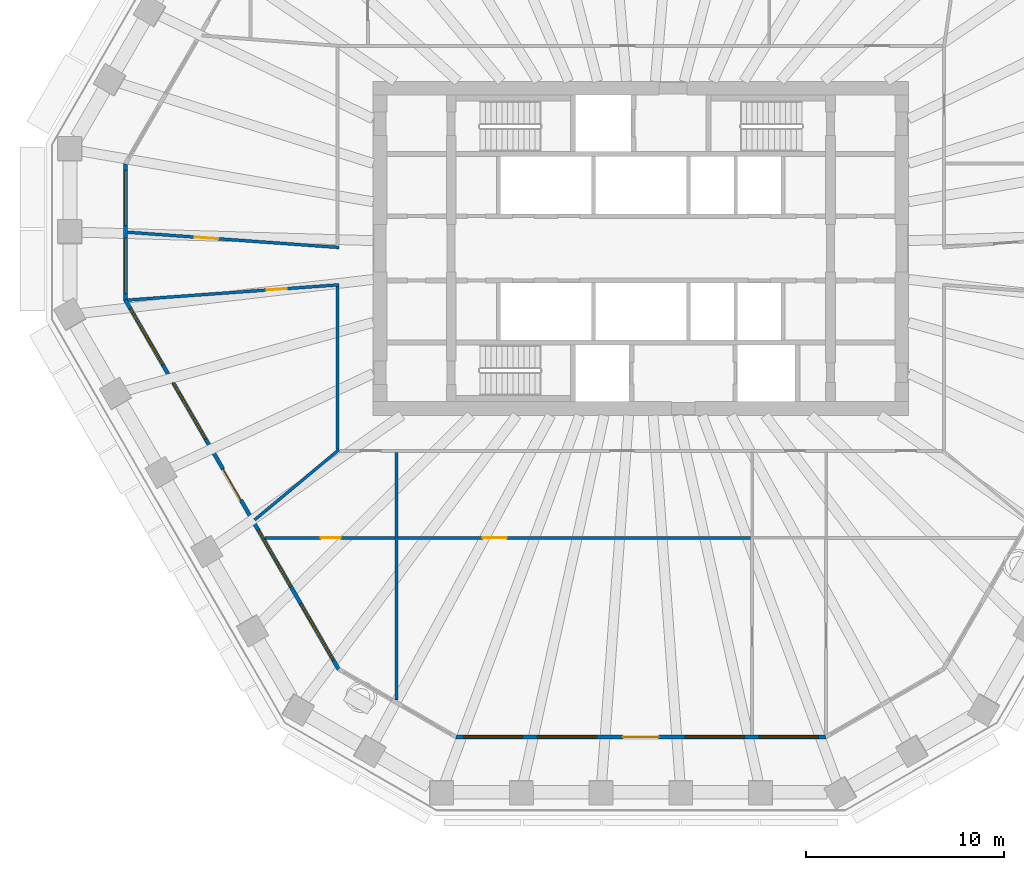
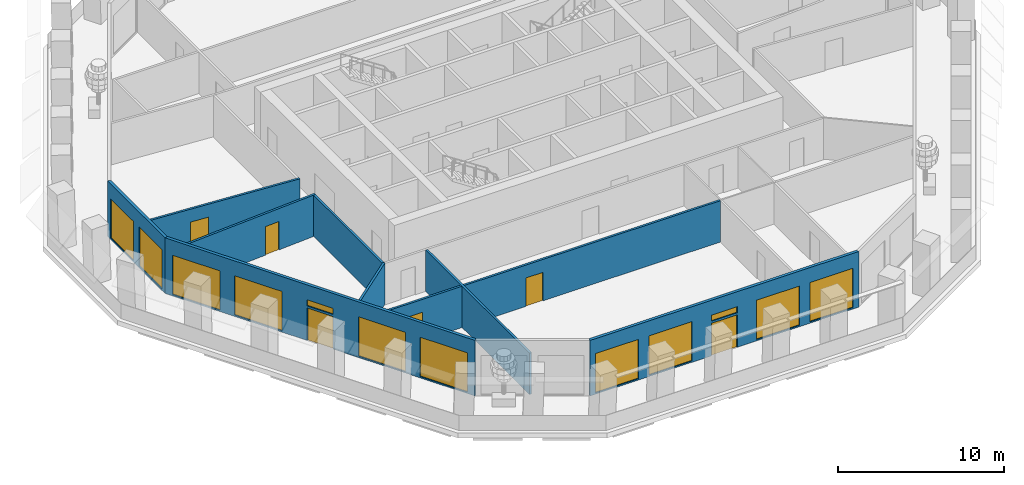
# One storey, part 3 of 12: 12 windows, 9 walls, 6 doors, 18 openings.
"""IFC4 building model written with IfcOpenShell, lengths in metres."""

from ifc_helpers import new_model, si_unit, direction, frame, frame_2d, origin, place, context, subcontext, project, spatial, polyline, rectangle, outline, extrude, material, layer, layer_set, type_object, element, fill, save


model = new_model("IFC4")

# Units and contexts
model_context = context("Model", 3, precision=1e-05, world=origin(), true_north=direction((0.0, 1.0)))
body_context = subcontext(model_context, "Body", "Model", "MODEL_VIEW")
ifc_project = project(units=[si_unit("LENGTHUNIT", "METRE"), si_unit("AREAUNIT", "SQUARE_METRE"), si_unit("VOLUMEUNIT", "CUBIC_METRE"), si_unit("PLANEANGLEUNIT", "RADIAN"), si_unit("MASSUNIT", "GRAM", prefix="KILO")], contexts=[model_context])

# Site, building, storey
site_placement = place(None, origin())
site = spatial("IfcSite", under=ifc_project, at=site_placement, CompositionType="ELEMENT")
building_placement = place(site_placement, origin())
building = spatial("IfcBuilding", under=site, at=building_placement, Name="Frailejon Research Tower", CompositionType="ELEMENT")
storey_placement = place(building_placement, frame((0.0, 0.0, 171.60009765625)))
storey = spatial("IfcBuildingStorey", under=building, at=storey_placement, Name="L37", CompositionType="ELEMENT", Elevation=171.60009765625)

# Wall
ifc_material_1 = material(Name="Gypsum board and masonry partition", Category="masonry")
ifc_layer_1 = layer(ifc_material_1, 0.14990234375)
ifc_layer_set_1 = layer_set([ifc_layer_1], Name="Corridor wall EI 60, gypsum on steel studs 150")
wall_type_1 = type_object("IfcWallType", Name="Corridor wall EI 60, gypsum on steel studs 150", PredefinedType="PARTITIONING", material=ifc_layer_set_1)
wall_1_placement = place(storey_placement, frame((-15.35009765625, -10.175048828125, 0.0), z_axis=(0.0, 0.0, 1.0), x_axis=(0.0, 1.0, 0.0)))
element("IfcWall", 1, at=wall_1_placement, inside=storey, type_object=wall_type_1, Name="T:IW:L37:004", PredefinedType="PARTITIONING", context=body_context, shape_type="SweptSolid", body=[
    extrude(rectangle(XDim=8.24755859375, YDim=0.14990234375, at=frame_2d((4.123779296875, 0.0))), origin(), (0.0, 0.0, 1.0), 3.0498046875),
])

# Wall, opening, door
wall_2_placement = place(storey_placement, frame((-25.99169921875, 0.815185546875, 0.0), z_axis=(0.0, 0.0, 1.0), x_axis=(0.997408977035, -0.07193978406, 0.0)))
wall_2 = element("IfcWall", 2, at=wall_2_placement, inside=storey, type_object=wall_type_1, Name="T:IW:L37:007", PredefinedType="PARTITIONING", context=body_context, shape_type="SweptSolid", body=[
    extrude(rectangle(XDim=10.744384765625, YDim=0.14990234375, at=frame_2d((5.3720703125, 0.0))), origin(), (0.0, 0.0, 1.0), 3.0498046875),
])
opening_1_placement = place(wall_2_placement, frame((3.419189453125, 0.0, 0.0)))
opening_1 = element("IfcOpeningElement", 3, at=opening_1_placement, cuts=wall_2, Name="Opening D1812", PredefinedType="OPENING", context=body_context, shape_type="SweptSolid", body=[
    extrude(rectangle(XDim=1.199951171875, YDim=2.10009765625, at=frame_2d((0.60009765625, 1.050048828125))), frame((0.0, 0.0849609375, 0.0), z_axis=(0.0, -1.0, 0.0), x_axis=(1.0, 0.0, 0.0)), (0.0, 0.0, 1.0), 0.169921875),
])
ifc_material_2 = material(Name="Timber door leaf", Category="wood")
door_type_1 = type_object("IfcDoorType", Name="Door laboratory, timber, vision panel 1200", OperationType="NOTDEFINED", PredefinedType="DOOR", material=ifc_material_2)
door_1_placement = place(opening_1_placement, origin())
door_1 = element("IfcDoor", 4, at=door_1_placement, inside=storey, type_object=door_type_1, Name="D1812", OperationType="DOUBLE_DOOR_SINGLE_SWING", OverallHeight=2.10009765625, OverallWidth=1.199951171875, PredefinedType="DOOR", context=body_context, shape_type="SweptSolid", body=[
    extrude(rectangle(XDim=1.199951171875, YDim=2.10009765625, at=frame_2d((0.60009765625, 1.050048828125))), frame((0.0, 0.02490234375, 0.0), z_axis=(0.0, -1.0, 0.0), x_axis=(1.0, 0.0, 0.0)), (0.0, 0.0, 1.0), 0.050048828125),
])
fill(opening_1, door_1)

wall_3_placement = place(storey_placement, frame((-25.97021484375, -2.618408203125, 0.0), z_axis=(0.0, 0.0, 1.0), x_axis=(0.997408409871, 0.07194764707, 0.0)))
wall_3 = element("IfcWall", 5, at=wall_3_placement, inside=storey, type_object=wall_type_1, Name="T:IW:L37:008", PredefinedType="PARTITIONING", context=body_context, shape_type="SweptSolid", body=[
    extrude(rectangle(XDim=10.722900390625, YDim=0.14990234375, at=frame_2d((5.361328125, 0.0))), origin(), (0.0, 0.0, 1.0), 3.0498046875),
])
opening_2_placement = place(wall_3_placement, frame((7.060791015625, 0.0, 0.0)))
opening_2 = element("IfcOpeningElement", 6, at=opening_2_placement, cuts=wall_3, Name="Opening D1813", PredefinedType="OPENING", context=body_context, shape_type="SweptSolid", body=[
    extrude(rectangle(XDim=1.0, YDim=2.10009765625, at=frame_2d((0.5, 1.050048828125))), frame((0.0, 0.0849609375, 0.0), z_axis=(0.0, -1.0, 0.0), x_axis=(1.0, 0.0, 0.0)), (0.0, 0.0, 1.0), 0.169921875),
])
ifc_material_3 = material(Name="Timber door leaf", Category="wood")
door_type_2 = type_object("IfcDoorType", Name="Door single leaf, timber, steel frame 1000", OperationType="NOTDEFINED", PredefinedType="DOOR", material=ifc_material_3)
door_2_placement = place(opening_2_placement, origin())
door_2 = element("IfcDoor", 7, at=door_2_placement, inside=storey, type_object=door_type_2, Name="D1813", OperationType="SINGLE_SWING_LEFT", OverallHeight=2.10009765625, OverallWidth=1.0, PredefinedType="DOOR", context=body_context, shape_type="SweptSolid", body=[
    extrude(rectangle(XDim=1.0, YDim=2.10009765625, at=frame_2d((0.5, 1.050048828125))), frame((0.0, 0.02490234375, 0.0), z_axis=(0.0, -1.0, 0.0), x_axis=(1.0, 0.0, 0.0)), (0.0, 0.0, 1.0), 0.050048828125),
])
fill(opening_2, door_2)

# Wall
ifc_material_4 = material(Name="Gypsum board and masonry partition", Category="masonry")
ifc_layer_2 = layer(ifc_material_4, 0.14990234375)
ifc_layer_set_2 = layer_set([ifc_layer_2], Name="Laboratory partition, blockwork 150")
wall_type_2 = type_object("IfcWallType", Name="Laboratory partition, blockwork 150", PredefinedType="PARTITIONING", material=ifc_layer_set_2)
wall_4_placement = place(storey_placement, frame((-19.547119140625, -13.743408203125, 0.0), z_axis=(0.0, 0.0, 1.0), x_axis=(0.768579042723, 0.639754839831, 0.0)))
element("IfcWall", 8, at=wall_4_placement, inside=storey, type_object=wall_type_2, Name="T:IW:L37:019", PredefinedType="PARTITIONING", context=body_context, shape_type="SweptSolid", body=[
    extrude(rectangle(XDim=5.53564453125, YDim=0.14990234375, at=frame_2d((2.767822265625, 0.0))), origin(), (0.0, 0.0, 1.0), 3.0498046875),
])

# Wall, openings, doors
wall_5_placement = place(storey_placement, frame((-19.023681640625, -14.64990234375, 0.0), z_axis=(0.0, 0.0, 1.0), x_axis=(1.0, 0.0, 0.0)))
wall_5 = element("IfcWall", 9, at=wall_5_placement, inside=storey, type_object=wall_type_2, Name="T:IW:L37:020", PredefinedType="PARTITIONING", context=body_context, shape_type="SweptSolid", body=[
    extrude(rectangle(XDim=24.5751953125, YDim=0.14990234375, at=frame_2d((12.28759765625, 0.0))), origin(), (0.0, 0.0, 1.0), 3.0498046875),
])
opening_3_placement = place(wall_5_placement, frame((2.822998046875, 0.0, 0.0)))
opening_3 = element("IfcOpeningElement", 10, at=opening_3_placement, cuts=wall_5, Name="Opening D1815", PredefinedType="OPENING", context=body_context, shape_type="SweptSolid", body=[
    extrude(rectangle(XDim=1.0, YDim=2.10009765625, at=frame_2d((0.5, 1.050048828125))), frame((0.0, 0.0849609375, 0.0), z_axis=(0.0, -1.0, 0.0), x_axis=(1.0, 0.0, 0.0)), (0.0, 0.0, 1.0), 0.169921875),
])
opening_4_placement = place(wall_5_placement, frame((11.022216796875, 0.0, 0.0)))
opening_4 = element("IfcOpeningElement", 11, at=opening_4_placement, cuts=wall_5, Name="Opening D1817", PredefinedType="OPENING", context=body_context, shape_type="SweptSolid", body=[
    extrude(rectangle(XDim=1.199951171875, YDim=2.10009765625, at=frame_2d((0.60009765625, 1.050048828125))), frame((0.0, 0.0849609375, 0.0), z_axis=(0.0, -1.0, 0.0), x_axis=(1.0, 0.0, 0.0)), (0.0, 0.0, 1.0), 0.169921875),
])
ifc_material_5 = material(Name="Timber door leaf", Category="wood")
door_type_3 = type_object("IfcDoorType", Name="Door laboratory, timber, vision panel 1000", OperationType="NOTDEFINED", PredefinedType="DOOR", material=ifc_material_5)
door_3_placement = place(opening_3_placement, origin())
door_3 = element("IfcDoor", 12, at=door_3_placement, inside=storey, type_object=door_type_3, Name="D1815", OperationType="SINGLE_SWING_RIGHT", OverallHeight=2.10009765625, OverallWidth=1.0, PredefinedType="DOOR", context=body_context, shape_type="SweptSolid", body=[
    extrude(rectangle(XDim=1.0, YDim=2.10009765625, at=frame_2d((0.5, 1.050048828125))), frame((0.0, 0.02490234375, 0.0), z_axis=(0.0, -1.0, 0.0), x_axis=(1.0, 0.0, 0.0)), (0.0, 0.0, 1.0), 0.050048828125),
])
fill(opening_3, door_3)
door_4_placement = place(opening_4_placement, origin())
door_4 = element("IfcDoor", 13, at=door_4_placement, inside=storey, type_object=door_type_1, Name="D1817", OperationType="DOUBLE_DOOR_SINGLE_SWING", OverallHeight=2.10009765625, OverallWidth=1.199951171875, PredefinedType="DOOR", context=body_context, shape_type="SweptSolid", body=[
    extrude(rectangle(XDim=1.199951171875, YDim=2.10009765625, at=frame_2d((0.60009765625, 1.050048828125))), frame((0.0, 0.02490234375, 0.0), z_axis=(0.0, -1.0, 0.0), x_axis=(1.0, 0.0, 0.0)), (0.0, 0.0, 1.0), 0.050048828125),
])
fill(opening_4, door_4)

# Wall
wall_6_placement = place(storey_placement, frame((-12.37744140625, -22.86669921875, 0.0), z_axis=(0.0, 0.0, 1.0), x_axis=(0.0, 1.0, 0.0)))
element("IfcWall", 14, at=wall_6_placement, inside=storey, type_object=wall_type_2, Name="T:IW:L37:022", PredefinedType="PARTITIONING", context=body_context, shape_type="SweptSolid", body=[
    extrude(rectangle(XDim=12.541748046875, YDim=0.14990234375, at=frame_2d((6.27099609375, 0.0))), origin(), (0.0, 0.0, 1.0), 3.0498046875),
])

# Wall, openings, windows
ifc_material_6 = material(Name="Concrete C40/50 precast window wall panel", Category="concrete")
ifc_layer_3 = layer(ifc_material_6, 0.199951171875)
ifc_layer_set_3 = layer_set([ifc_layer_3], Name="Window wall 200")
wall_type_3 = type_object("IfcWallType", Name="Window wall 200", PredefinedType="SOLIDWALL", material=ifc_layer_set_3)
wall_7_placement = place(storey_placement, frame((-26.091796875, 4.26708984375, 0.0), z_axis=(0.0, 0.0, 1.0), x_axis=(0.0, -1.0, 0.0)))
wall_7 = element("IfcWall", 15, at=wall_7_placement, inside=storey, type_object=wall_type_3, Name="Exterior wall L37", PredefinedType="SOLIDWALL", context=body_context, shape_type="SweptSolid", body=[
    extrude(outline(polyline([(-0.02685546875, -0.10009765625), (1.1279296875, -0.10009765625), (2.28271484375, -0.10009765625), (3.4375, -0.10009765625), (4.592041015625, -0.10009765625), (5.746826171875, -0.10009765625), (6.901611328125, -0.10009765625), (6.847900390625, 0.10009765625), (5.7109375, 0.10009765625), (4.57421875, 0.10009765625), (3.4375, 0.10009765625), (2.300537109375, 0.10009765625), (1.16357421875, 0.10009765625), (0.02685546875, 0.10009765625), (-0.02685546875, -0.10009765625)])), origin(), (0.0, 0.0, 1.0), 4.099853515625),
])
opening_5_placement = place(wall_7_placement, frame((0.318603515625, 0.0, 0.10009765625)))
opening_5 = element("IfcOpeningElement", 16, at=opening_5_placement, cuts=wall_7, Name="Opening W3", PredefinedType="OPENING", context=body_context, shape_type="SweptSolid", body=[
    extrude(rectangle(XDim=2.800048828125, YDim=2.89990234375, at=frame_2d((1.39990234375, 1.449951171875))), frame((0.0, 0.10986328125, 0.0), z_axis=(0.0, -1.0, 0.0), x_axis=(1.0, 0.0, 0.0)), (0.0, 0.0, 1.0), 0.219970703125),
])
opening_6_placement = place(wall_7_placement, frame((3.756103515625, 0.0, 0.10009765625)))
opening_6 = element("IfcOpeningElement", 17, at=opening_6_placement, cuts=wall_7, Name="Opening W3", PredefinedType="OPENING", context=body_context, shape_type="SweptSolid", body=[
    extrude(rectangle(XDim=2.800048828125, YDim=2.89990234375, at=frame_2d((1.39990234375, 1.449951171875))), frame((0.0, 0.10986328125, 0.0), z_axis=(0.0, -1.0, 0.0), x_axis=(1.0, 0.0, 0.0)), (0.0, 0.0, 1.0), 0.219970703125),
])
ifc_material_7 = material(Name="Aluminium framed double glazing", Category="aluminium")
window_type_1 = type_object("IfcWindowType", Name="Window 2800x2900", PartitioningType="SINGLE_PANEL", PredefinedType="WINDOW", material=ifc_material_7)
window_1_placement = place(opening_5_placement, origin())
window_1 = element("IfcWindow", 18, at=window_1_placement, inside=storey, type_object=window_type_1, Name="Window L37", OverallHeight=2.89990234375, OverallWidth=2.800048828125, PartitioningType="SINGLE_PANEL", PredefinedType="WINDOW", context=body_context, shape_type="SweptSolid", body=[
    extrude(rectangle(XDim=2.800048828125, YDim=2.89990234375, at=frame_2d((1.39990234375, 1.449951171875))), frame((0.0, 0.030029296875, 0.0), z_axis=(0.0, -1.0, 0.0), x_axis=(1.0, 0.0, 0.0)), (0.0, 0.0, 1.0), 0.06005859375),
])
fill(opening_5, window_1)
window_2_placement = place(opening_6_placement, origin())
window_2 = element("IfcWindow", 19, at=window_2_placement, inside=storey, type_object=window_type_1, Name="Window L37", OverallHeight=2.89990234375, OverallWidth=2.800048828125, PartitioningType="SINGLE_PANEL", PredefinedType="WINDOW", context=body_context, shape_type="SweptSolid", body=[
    extrude(rectangle(XDim=2.800048828125, YDim=2.89990234375, at=frame_2d((1.39990234375, 1.449951171875))), frame((0.0, 0.030029296875, 0.0), z_axis=(0.0, -1.0, 0.0), x_axis=(1.0, 0.0, 0.0)), (0.0, 0.0, 1.0), 0.06005859375),
])
fill(opening_6, window_2)

# Wall, openings, door, windows
wall_8_placement = place(storey_placement, frame((-26.091796875, -2.607666015625, 0.0), z_axis=(0.0, 0.0, 1.0), x_axis=(0.500001945179, -0.866024280732, 0.0)))
wall_8 = element("IfcWall", 20, at=wall_8_placement, inside=storey, type_object=wall_type_3, Name="Exterior wall L37", PredefinedType="SOLIDWALL", context=body_context, shape_type="SweptSolid", body=[
    extrude(outline(polyline([(-0.02685546875, -0.10009765625), (1.003173828125, -0.10009765625), (2.032958984375, -0.10009765625), (3.06298828125, -0.10009765625), (4.093017578125, -0.10009765625), (5.122802734375, -0.10009765625), (6.15283203125, -0.10009765625), (7.182861328125, -0.10009765625), (8.212646484375, -0.10009765625), (9.24267578125, -0.10009765625), (10.272705078125, -0.10009765625), (11.302490234375, -0.10009765625), (12.33251953125, -0.10009765625), (13.362548828125, -0.10009765625), (14.392333984375, -0.10009765625), (15.42236328125, -0.10009765625), (16.452392578125, -0.10009765625), (17.482177734375, -0.10009765625), (18.51220703125, -0.10009765625), (19.542236328125, -0.10009765625), (20.572021484375, -0.10009765625), (21.60205078125, -0.10009765625), (21.54833984375, 0.10009765625), (20.5234375, 0.10009765625), (19.498779296875, 0.10009765625), (18.473876953125, 0.10009765625), (17.448974609375, 0.10009765625), (16.424072265625, 0.10009765625), (15.3994140625, 0.10009765625), (14.37451171875, 0.10009765625), (13.349609375, 0.10009765625), (12.324951171875, 0.10009765625), (11.300048828125, 0.10009765625), (10.275146484375, 0.10009765625), (9.250244140625, 0.10009765625), (8.2255859375, 0.10009765625), (7.20068359375, 0.10009765625), (6.17578125, 0.10009765625), (5.151123046875, 0.10009765625), (4.126220703125, 0.10009765625), (3.101318359375, 0.10009765625), (2.076416015625, 0.10009765625), (1.0517578125, 0.10009765625), (0.02685546875, 0.10009765625), (-0.02685546875, -0.10009765625)])), origin(), (0.0, 0.0, 1.0), 4.099853515625),
])
opening_7_placement = place(wall_8_placement, frame((0.507568359375, 0.0, 0.10009765625)))
opening_7 = element("IfcOpeningElement", 21, at=opening_7_placement, cuts=wall_8, Name="Opening W5", PredefinedType="OPENING", context=body_context, shape_type="SweptSolid", body=[
    extrude(rectangle(XDim=3.300048828125, YDim=2.89990234375, at=frame_2d((1.64990234375, 1.449951171875))), frame((0.0, 0.10986328125, 0.0), z_axis=(0.0, -1.0, 0.0), x_axis=(1.0, 0.0, 0.0)), (0.0, 0.0, 1.0), 0.219970703125),
])
opening_8_placement = place(wall_8_placement, frame((4.822509765625, 0.0, 0.10009765625)))
opening_8 = element("IfcOpeningElement", 22, at=opening_8_placement, cuts=wall_8, Name="Opening W5", PredefinedType="OPENING", context=body_context, shape_type="SweptSolid", body=[
    extrude(rectangle(XDim=3.300048828125, YDim=2.89990234375, at=frame_2d((1.64990234375, 1.449951171875))), frame((0.0, 0.10986328125, 0.0), z_axis=(0.0, -1.0, 0.0), x_axis=(1.0, 0.0, 0.0)), (0.0, 0.0, 1.0), 0.219970703125),
])
opening_9_placement = place(wall_8_placement, frame((9.8876953125, 0.0, 0.0)))
opening_9 = element("IfcOpeningElement", 23, at=opening_9_placement, cuts=wall_8, Name="Opening LG37-4", PredefinedType="OPENING", context=body_context, shape_type="SweptSolid", body=[
    extrude(rectangle(XDim=1.800048828125, YDim=2.39990234375, at=frame_2d((0.89990234375, 1.199951171875))), frame((0.0, 0.10986328125, 0.0), z_axis=(0.0, -1.0, 0.0), x_axis=(1.0, 0.0, 0.0)), (0.0, 0.0, 1.0), 0.219970703125),
])
opening_10_placement = place(wall_8_placement, frame((9.8876953125, 0.0, 2.550048828125)))
opening_10 = element("IfcOpeningElement", 24, at=opening_10_placement, cuts=wall_8, Name="Opening W1", PredefinedType="OPENING", context=body_context, shape_type="SweptSolid", body=[
    extrude(rectangle(XDim=1.800048828125, YDim=0.449951171875, at=frame_2d((0.89990234375, 0.22509765625))), frame((0.0, 0.10986328125, 0.0), z_axis=(0.0, -1.0, 0.0), x_axis=(1.0, 0.0, 0.0)), (0.0, 0.0, 1.0), 0.219970703125),
])
opening_11_placement = place(wall_8_placement, frame((13.45263671875, 0.0, 0.10009765625)))
opening_11 = element("IfcOpeningElement", 25, at=opening_11_placement, cuts=wall_8, Name="Opening W5", PredefinedType="OPENING", context=body_context, shape_type="SweptSolid", body=[
    extrude(rectangle(XDim=3.300048828125, YDim=2.89990234375, at=frame_2d((1.64990234375, 1.449951171875))), frame((0.0, 0.10986328125, 0.0), z_axis=(0.0, -1.0, 0.0), x_axis=(1.0, 0.0, 0.0)), (0.0, 0.0, 1.0), 0.219970703125),
])
opening_12_placement = place(wall_8_placement, frame((17.767578125, 0.0, 0.10009765625)))
opening_12 = element("IfcOpeningElement", 26, at=opening_12_placement, cuts=wall_8, Name="Opening W5", PredefinedType="OPENING", context=body_context, shape_type="SweptSolid", body=[
    extrude(rectangle(XDim=3.300048828125, YDim=2.89990234375, at=frame_2d((1.64990234375, 1.449951171875))), frame((0.0, 0.10986328125, 0.0), z_axis=(0.0, -1.0, 0.0), x_axis=(1.0, 0.0, 0.0)), (0.0, 0.0, 1.0), 0.219970703125),
])
ifc_material_8 = material(Name="Aluminium framed glazed door leaf", Category="aluminium")
door_type_4 = type_object("IfcDoorType", Name="Loggia door 1800x2400", OperationType="DOUBLE_DOOR_SINGLE_SWING", PredefinedType="DOOR", material=ifc_material_8)
door_5_placement = place(opening_9_placement, origin())
door_5 = element("IfcDoor", 27, at=door_5_placement, inside=storey, type_object=door_type_4, Name="Door LG37-4", OperationType="DOUBLE_DOOR_SINGLE_SWING", OverallHeight=2.39990234375, OverallWidth=1.800048828125, PredefinedType="DOOR", context=body_context, shape_type="SweptSolid", body=[
    extrude(rectangle(XDim=1.800048828125, YDim=2.39990234375, at=frame_2d((0.89990234375, 1.199951171875))), frame((0.0, 0.02490234375, 0.0), z_axis=(0.0, -1.0, 0.0), x_axis=(1.0, 0.0, 0.0)), (0.0, 0.0, 1.0), 0.050048828125),
])
fill(opening_9, door_5)
ifc_material_9 = material(Name="Aluminium framed double glazing", Category="aluminium")
window_type_2 = type_object("IfcWindowType", Name="Window 1800x450", PartitioningType="SINGLE_PANEL", PredefinedType="WINDOW", material=ifc_material_9)
window_3_placement = place(opening_10_placement, origin())
window_3 = element("IfcWindow", 28, at=window_3_placement, inside=storey, type_object=window_type_2, Name="Window L37", OverallHeight=0.449951171875, OverallWidth=1.800048828125, PartitioningType="SINGLE_PANEL", PredefinedType="WINDOW", context=body_context, shape_type="SweptSolid", body=[
    extrude(rectangle(XDim=1.800048828125, YDim=0.449951171875, at=frame_2d((0.89990234375, 0.22509765625))), frame((0.0, 0.030029296875, 0.0), z_axis=(0.0, -1.0, 0.0), x_axis=(1.0, 0.0, 0.0)), (0.0, 0.0, 1.0), 0.06005859375),
])
fill(opening_10, window_3)
ifc_material_10 = material(Name="Aluminium framed double glazing", Category="aluminium")
window_type_3 = type_object("IfcWindowType", Name="Window 3300x2900", PartitioningType="SINGLE_PANEL", PredefinedType="WINDOW", material=ifc_material_10)
window_4_placement = place(opening_7_placement, origin())
window_4 = element("IfcWindow", 29, at=window_4_placement, inside=storey, type_object=window_type_3, Name="Window L37", OverallHeight=2.89990234375, OverallWidth=3.300048828125, PartitioningType="SINGLE_PANEL", PredefinedType="WINDOW", context=body_context, shape_type="SweptSolid", body=[
    extrude(rectangle(XDim=3.300048828125, YDim=2.89990234375, at=frame_2d((1.64990234375, 1.449951171875))), frame((0.0, 0.030029296875, 0.0), z_axis=(0.0, -1.0, 0.0), x_axis=(1.0, 0.0, 0.0)), (0.0, 0.0, 1.0), 0.06005859375),
])
fill(opening_7, window_4)
window_5_placement = place(opening_8_placement, origin())
window_5 = element("IfcWindow", 30, at=window_5_placement, inside=storey, type_object=window_type_3, Name="Window L37", OverallHeight=2.89990234375, OverallWidth=3.300048828125, PartitioningType="SINGLE_PANEL", PredefinedType="WINDOW", context=body_context, shape_type="SweptSolid", body=[
    extrude(rectangle(XDim=3.300048828125, YDim=2.89990234375, at=frame_2d((1.64990234375, 1.449951171875))), frame((0.0, 0.030029296875, 0.0), z_axis=(0.0, -1.0, 0.0), x_axis=(1.0, 0.0, 0.0)), (0.0, 0.0, 1.0), 0.06005859375),
])
fill(opening_8, window_5)
window_6_placement = place(opening_11_placement, origin())
window_6 = element("IfcWindow", 31, at=window_6_placement, inside=storey, type_object=window_type_3, Name="Window L37", OverallHeight=2.89990234375, OverallWidth=3.300048828125, PartitioningType="SINGLE_PANEL", PredefinedType="WINDOW", context=body_context, shape_type="SweptSolid", body=[
    extrude(rectangle(XDim=3.300048828125, YDim=2.89990234375, at=frame_2d((1.64990234375, 1.449951171875))), frame((0.0, 0.030029296875, 0.0), z_axis=(0.0, -1.0, 0.0), x_axis=(1.0, 0.0, 0.0)), (0.0, 0.0, 1.0), 0.06005859375),
])
fill(opening_11, window_6)
window_7_placement = place(opening_12_placement, origin())
window_7 = element("IfcWindow", 32, at=window_7_placement, inside=storey, type_object=window_type_3, Name="Window L37", OverallHeight=2.89990234375, OverallWidth=3.300048828125, PartitioningType="SINGLE_PANEL", PredefinedType="WINDOW", context=body_context, shape_type="SweptSolid", body=[
    extrude(rectangle(XDim=3.300048828125, YDim=2.89990234375, at=frame_2d((1.64990234375, 1.449951171875))), frame((0.0, 0.030029296875, 0.0), z_axis=(0.0, -1.0, 0.0), x_axis=(1.0, 0.0, 0.0)), (0.0, 0.0, 1.0), 0.06005859375),
])
fill(opening_12, window_7)

wall_9_placement = place(storey_placement, frame((-9.3505859375, -24.729736328125, 0.0), z_axis=(0.0, 0.0, 1.0), x_axis=(1.0, 0.0, 0.0)))
wall_9 = element("IfcWall", 33, at=wall_9_placement, inside=storey, type_object=wall_type_3, Name="Exterior wall L37", PredefinedType="SOLIDWALL", context=body_context, shape_type="SweptSolid", body=[
    extrude(outline(polyline([(-0.02685546875, -0.10009765625), (1.01513671875, -0.10009765625), (2.05712890625, -0.10009765625), (3.098876953125, -0.10009765625), (4.140869140625, -0.10009765625), (5.182861328125, -0.10009765625), (6.224853515625, -0.10009765625), (7.2666015625, -0.10009765625), (8.30859375, -0.10009765625), (9.3505859375, -0.10009765625), (10.392578125, -0.10009765625), (11.4345703125, -0.10009765625), (12.476318359375, -0.10009765625), (13.518310546875, -0.10009765625), (14.560302734375, -0.10009765625), (15.602294921875, -0.10009765625), (16.64404296875, -0.10009765625), (17.68603515625, -0.10009765625), (18.72802734375, -0.10009765625), (18.67431640625, 0.10009765625), (17.638427734375, 0.10009765625), (16.602294921875, 0.10009765625), (15.56640625, 0.10009765625), (14.530517578125, 0.10009765625), (13.494384765625, 0.10009765625), (12.45849609375, 0.10009765625), (11.422607421875, 0.10009765625), (10.386474609375, 0.10009765625), (9.3505859375, 0.10009765625), (8.314697265625, 0.10009765625), (7.278564453125, 0.10009765625), (6.24267578125, 0.10009765625), (5.206787109375, 0.10009765625), (4.170654296875, 0.10009765625), (3.134765625, 0.10009765625), (2.098876953125, 0.10009765625), (1.062744140625, 0.10009765625), (0.02685546875, 0.10009765625), (-0.02685546875, -0.10009765625)])), origin(), (0.0, 0.0, 1.0), 4.099853515625),
])
opening_13_placement = place(wall_9_placement, frame((0.3701171875, 0.0, 0.10009765625)))
opening_13 = element("IfcOpeningElement", 34, at=opening_13_placement, cuts=wall_9, Name="Opening W4", PredefinedType="OPENING", context=body_context, shape_type="SweptSolid", body=[
    extrude(rectangle(XDim=3.0, YDim=2.89990234375, at=frame_2d((1.5, 1.449951171875))), frame((0.0, 0.10986328125, 0.0), z_axis=(0.0, -1.0, 0.0), x_axis=(1.0, 0.0, 0.0)), (0.0, 0.0, 1.0), 0.219970703125),
])
opening_14_placement = place(wall_9_placement, frame((4.1103515625, 0.0, 0.10009765625)))
opening_14 = element("IfcOpeningElement", 35, at=opening_14_placement, cuts=wall_9, Name="Opening W4", PredefinedType="OPENING", context=body_context, shape_type="SweptSolid", body=[
    extrude(rectangle(XDim=3.0, YDim=2.89990234375, at=frame_2d((1.5, 1.449951171875))), frame((0.0, 0.10986328125, 0.0), z_axis=(0.0, -1.0, 0.0), x_axis=(1.0, 0.0, 0.0)), (0.0, 0.0, 1.0), 0.219970703125),
])
opening_15_placement = place(wall_9_placement, frame((8.45068359375, 0.0, 0.0)))
opening_15 = element("IfcOpeningElement", 36, at=opening_15_placement, cuts=wall_9, Name="Opening LG37-5", PredefinedType="OPENING", context=body_context, shape_type="SweptSolid", body=[
    extrude(rectangle(XDim=1.800048828125, YDim=2.39990234375, at=frame_2d((0.89990234375, 1.199951171875))), frame((0.0, 0.10986328125, 0.0), z_axis=(0.0, -1.0, 0.0), x_axis=(1.0, 0.0, 0.0)), (0.0, 0.0, 1.0), 0.219970703125),
])
opening_16_placement = place(wall_9_placement, frame((8.45068359375, 0.0, 2.550048828125)))
opening_16 = element("IfcOpeningElement", 37, at=opening_16_placement, cuts=wall_9, Name="Opening W1", PredefinedType="OPENING", context=body_context, shape_type="SweptSolid", body=[
    extrude(rectangle(XDim=1.800048828125, YDim=0.449951171875, at=frame_2d((0.89990234375, 0.22509765625))), frame((0.0, 0.10986328125, 0.0), z_axis=(0.0, -1.0, 0.0), x_axis=(1.0, 0.0, 0.0)), (0.0, 0.0, 1.0), 0.219970703125),
])
opening_17_placement = place(wall_9_placement, frame((11.5908203125, 0.0, 0.10009765625)))
opening_17 = element("IfcOpeningElement", 38, at=opening_17_placement, cuts=wall_9, Name="Opening W4", PredefinedType="OPENING", context=body_context, shape_type="SweptSolid", body=[
    extrude(rectangle(XDim=3.0, YDim=2.89990234375, at=frame_2d((1.5, 1.449951171875))), frame((0.0, 0.10986328125, 0.0), z_axis=(0.0, -1.0, 0.0), x_axis=(1.0, 0.0, 0.0)), (0.0, 0.0, 1.0), 0.219970703125),
])
opening_18_placement = place(wall_9_placement, frame((15.3310546875, 0.0, 0.10009765625)))
opening_18 = element("IfcOpeningElement", 39, at=opening_18_placement, cuts=wall_9, Name="Opening W4", PredefinedType="OPENING", context=body_context, shape_type="SweptSolid", body=[
    extrude(rectangle(XDim=3.0, YDim=2.89990234375, at=frame_2d((1.5, 1.449951171875))), frame((0.0, 0.10986328125, 0.0), z_axis=(0.0, -1.0, 0.0), x_axis=(1.0, 0.0, 0.0)), (0.0, 0.0, 1.0), 0.219970703125),
])
door_6_placement = place(opening_15_placement, origin())
door_6 = element("IfcDoor", 40, at=door_6_placement, inside=storey, type_object=door_type_4, Name="Door LG37-5", OperationType="DOUBLE_DOOR_SINGLE_SWING", OverallHeight=2.39990234375, OverallWidth=1.800048828125, PredefinedType="DOOR", context=body_context, shape_type="SweptSolid", body=[
    extrude(rectangle(XDim=1.800048828125, YDim=2.39990234375, at=frame_2d((0.89990234375, 1.199951171875))), frame((0.0, 0.02490234375, 0.0), z_axis=(0.0, -1.0, 0.0), x_axis=(1.0, 0.0, 0.0)), (0.0, 0.0, 1.0), 0.050048828125),
])
fill(opening_15, door_6)
window_8_placement = place(opening_16_placement, origin())
window_8 = element("IfcWindow", 41, at=window_8_placement, inside=storey, type_object=window_type_2, Name="Window L37", OverallHeight=0.449951171875, OverallWidth=1.800048828125, PartitioningType="SINGLE_PANEL", PredefinedType="WINDOW", context=body_context, shape_type="SweptSolid", body=[
    extrude(rectangle(XDim=1.800048828125, YDim=0.449951171875, at=frame_2d((0.89990234375, 0.22509765625))), frame((0.0, 0.030029296875, 0.0), z_axis=(0.0, -1.0, 0.0), x_axis=(1.0, 0.0, 0.0)), (0.0, 0.0, 1.0), 0.06005859375),
])
fill(opening_16, window_8)
ifc_material_11 = material(Name="Aluminium framed double glazing", Category="aluminium")
window_type_4 = type_object("IfcWindowType", Name="Window 3000x2900", PartitioningType="SINGLE_PANEL", PredefinedType="WINDOW", material=ifc_material_11)
window_9_placement = place(opening_13_placement, origin())
window_9 = element("IfcWindow", 42, at=window_9_placement, inside=storey, type_object=window_type_4, Name="Window L37", OverallHeight=2.89990234375, OverallWidth=3.0, PartitioningType="SINGLE_PANEL", PredefinedType="WINDOW", context=body_context, shape_type="SweptSolid", body=[
    extrude(rectangle(XDim=3.0, YDim=2.89990234375, at=frame_2d((1.5, 1.449951171875))), frame((0.0, 0.030029296875, 0.0), z_axis=(0.0, -1.0, 0.0), x_axis=(1.0, 0.0, 0.0)), (0.0, 0.0, 1.0), 0.06005859375),
])
fill(opening_13, window_9)
window_10_placement = place(opening_14_placement, origin())
window_10 = element("IfcWindow", 43, at=window_10_placement, inside=storey, type_object=window_type_4, Name="Window L37", OverallHeight=2.89990234375, OverallWidth=3.0, PartitioningType="SINGLE_PANEL", PredefinedType="WINDOW", context=body_context, shape_type="SweptSolid", body=[
    extrude(rectangle(XDim=3.0, YDim=2.89990234375, at=frame_2d((1.5, 1.449951171875))), frame((0.0, 0.030029296875, 0.0), z_axis=(0.0, -1.0, 0.0), x_axis=(1.0, 0.0, 0.0)), (0.0, 0.0, 1.0), 0.06005859375),
])
fill(opening_14, window_10)
window_11_placement = place(opening_17_placement, origin())
window_11 = element("IfcWindow", 44, at=window_11_placement, inside=storey, type_object=window_type_4, Name="Window L37", OverallHeight=2.89990234375, OverallWidth=3.0, PartitioningType="SINGLE_PANEL", PredefinedType="WINDOW", context=body_context, shape_type="SweptSolid", body=[
    extrude(rectangle(XDim=3.0, YDim=2.89990234375, at=frame_2d((1.5, 1.449951171875))), frame((0.0, 0.030029296875, 0.0), z_axis=(0.0, -1.0, 0.0), x_axis=(1.0, 0.0, 0.0)), (0.0, 0.0, 1.0), 0.06005859375),
])
fill(opening_17, window_11)
window_12_placement = place(opening_18_placement, origin())
window_12 = element("IfcWindow", 45, at=window_12_placement, inside=storey, type_object=window_type_4, Name="Window L37", OverallHeight=2.89990234375, OverallWidth=3.0, PartitioningType="SINGLE_PANEL", PredefinedType="WINDOW", context=body_context, shape_type="SweptSolid", body=[
    extrude(rectangle(XDim=3.0, YDim=2.89990234375, at=frame_2d((1.5, 1.449951171875))), frame((0.0, 0.030029296875, 0.0), z_axis=(0.0, -1.0, 0.0), x_axis=(1.0, 0.0, 0.0)), (0.0, 0.0, 1.0), 0.06005859375),
])
fill(opening_18, window_12)

save(model, "model.ifc")
